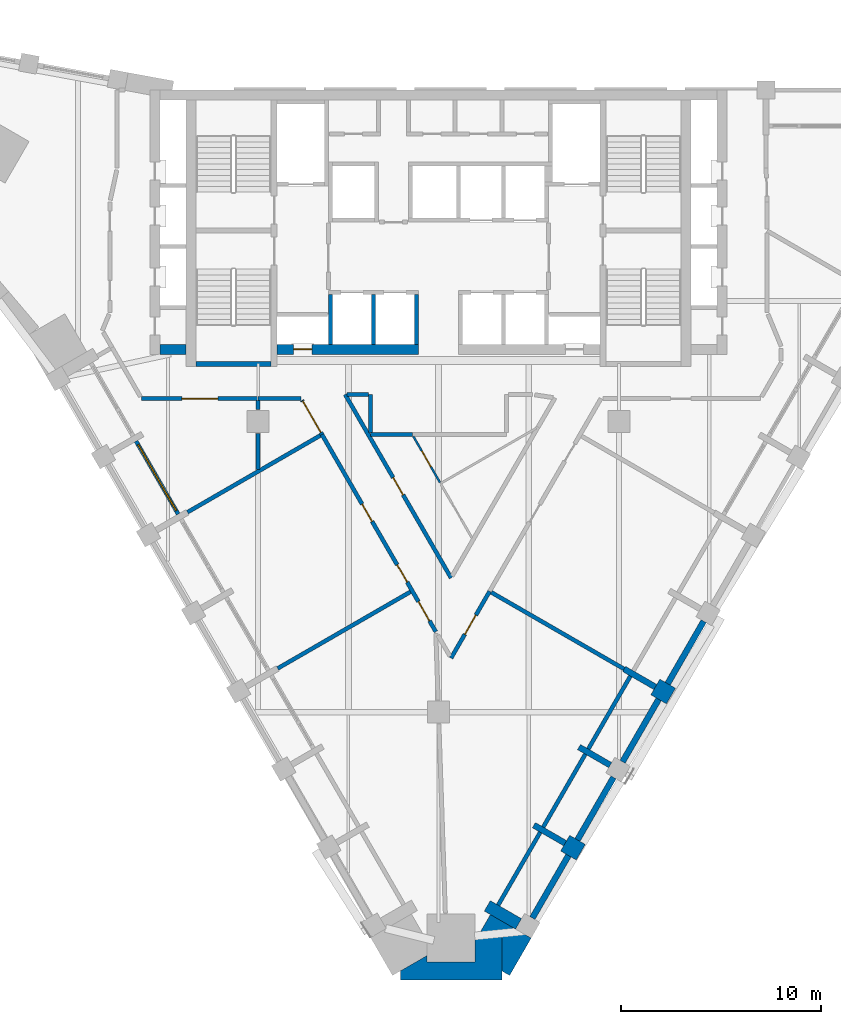
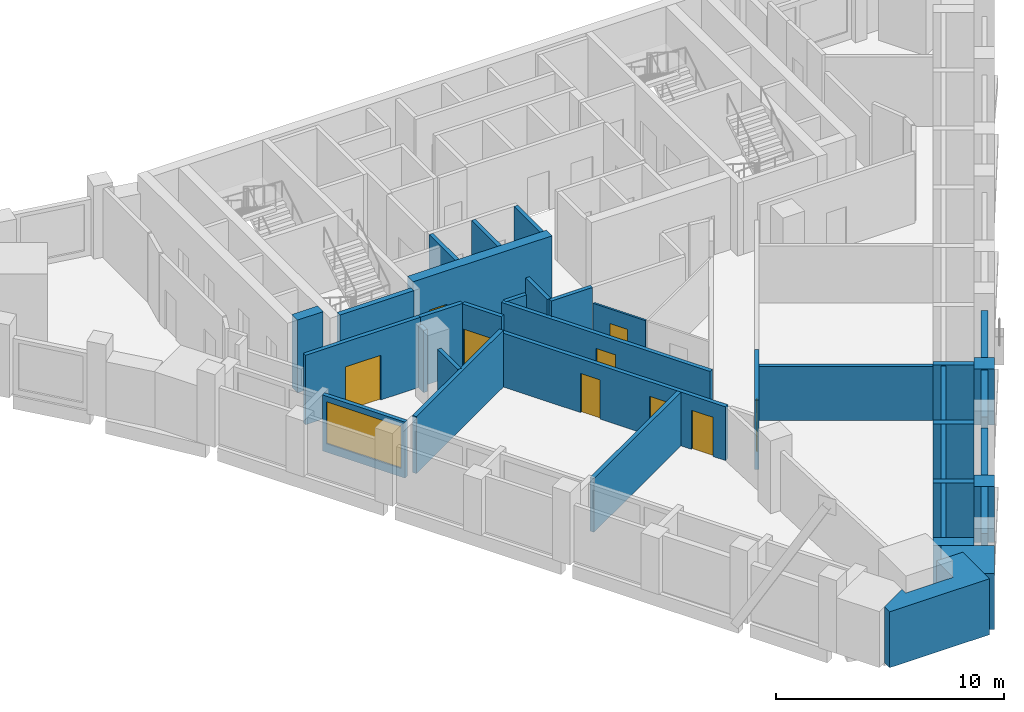
# One storey, part 3 of 9: 37 walls, 9 doors, 1 window, 10 openings.
"""IFC4 building model written with IfcOpenShell, lengths in metres."""

from ifc_helpers import new_model, si_unit, direction, frame, frame_2d, origin, place, context, subcontext, project, spatial, polyline, rectangle, outline, extrude, material, layer, layer_set, type_object, element, fill, save


model = new_model("IFC4")

# Units and contexts
model_context = context("Model", 3, precision=1e-05, world=origin(), true_north=direction((0.0, 1.0)))
body_context = subcontext(model_context, "Body", "Model", "MODEL_VIEW")
ifc_project = project(units=[si_unit("LENGTHUNIT", "METRE"), si_unit("AREAUNIT", "SQUARE_METRE"), si_unit("VOLUMEUNIT", "CUBIC_METRE"), si_unit("PLANEANGLEUNIT", "RADIAN"), si_unit("MASSUNIT", "GRAM", prefix="KILO")], contexts=[model_context])

# Site, building, storey
site_placement = place(None, origin())
site = spatial("IfcSite", under=ifc_project, at=site_placement, CompositionType="ELEMENT")
building_placement = place(site_placement, origin())
building = spatial("IfcBuilding", under=site, at=building_placement, Name="Calabash Gate Tower", CompositionType="ELEMENT")
storey_placement = place(building_placement, frame((0.0, 0.0, 219.800048828125)))
storey = spatial("IfcBuildingStorey", under=building, at=storey_placement, Name="L52", CompositionType="ELEMENT", Elevation=219.800048828125)

# Walls
ifc_material_1 = material(Name="Terracotta brick masonry, exposed face", Category="masonry")
ifc_layer_1 = layer(ifc_material_1, 2.35009765625)
ifc_layer_set_1 = layer_set([ifc_layer_1], Name="Brick corner mass wall 2350")
wall_type_1 = type_object("IfcWallType", Name="Brick corner mass wall 2350", PredefinedType="SOLIDWALL", material=ifc_layer_set_1)
wall_1_placement = place(storey_placement, origin())
element("IfcWall", 1, at=wall_1_placement, inside=storey, type_object=wall_type_1, Name="Brick corner pier S15 2b", PredefinedType="SOLIDWALL", context=body_context, shape_type="SweptSolid", body=[
    extrude(outline(polyline([(1.825927734375, -24.471923828125), (-0.573974609375, -24.471923828125), (-0.573974609375, -24.146240234375), (-1.906005859375, -24.915283203125), (-1.906005859375, -25.365234375), (3.157958984375, -25.365234375), (3.157958984375, -23.01513671875), (1.825927734375, -23.01513671875), (1.825927734375, -24.471923828125)])), origin(), (0.0, 0.0, 1.0), 3.0),
])
wall_2_placement = place(storey_placement, origin())
element("IfcWall", 2, at=wall_2_placement, inside=storey, type_object=wall_type_1, Name="Brick corner pier S15 2c", PredefinedType="SOLIDWALL", context=body_context, shape_type="SweptSolid", body=[
    extrude(outline(polyline([(4.623779296875, -23.275634765625), (2.5888671875, -22.100830078125), (2.06103515625, -23.01513671875), (3.157958984375, -23.01513671875), (3.157958984375, -24.915283203125), (3.547607421875, -25.14013671875), (4.623779296875, -23.275634765625)])), origin(), (0.0, 0.0, 1.0), 3.0),
])
ifc_material_2 = material(Name="Terracotta brick masonry, exposed face", Category="masonry")
ifc_layer_2 = layer(ifc_material_2, 0.89990234375)
ifc_layer_set_2 = layer_set([ifc_layer_2], Name="Brick end wall 900")
wall_type_2 = type_object("IfcWallType", Name="Brick end wall 900", PredefinedType="SOLIDWALL", material=ifc_layer_set_2)
for number, where, z_axis, x_axis, name in (
    (3, (6.484375, -19.15380859375, 0.0), (0.0, 0.0, 1.0), (0.499902469156, 0.866081705922, 0.0), "Brick pier S15 SE2.1"),
    (4, (11.434326171875, -10.580078125, 0.0), (0.0, 0.0, 1.0), (-0.499902469156, -0.866081705922, 0.0), "Brick pier S15 SE2.3"),
):
    element("IfcWall", number, at=place(storey_placement, frame(where, z_axis=z_axis, x_axis=x_axis)), inside=storey, type_object=wall_type_2, Name=name, PredefinedType="SOLIDWALL", context=body_context, shape_type="SweptSolid", body=[
        extrude(rectangle(XDim=0.900146484375, YDim=0.89990234375, at=frame_2d((0.4501953125, 0.0))), origin(), (0.0, 0.0, 1.0), 3.0),
    ])
ifc_material_3 = material(Name="Terracotta brick masonry, exposed face", Category="masonry")
ifc_layer_3 = layer(ifc_material_3, 0.300048828125)
ifc_layer_set_3 = layer_set([ifc_layer_3], Name="Brick infill panel wall 300")
wall_type_3 = type_object("IfcWallType", Name="Brick infill panel wall 300", PredefinedType="SOLIDWALL", material=ifc_layer_set_3)
for number, where, z_axis, x_axis, name in (
    (5, (4.684326171875, -22.271484375, 0.0), (0.0, 0.0, 1.0), (0.500012057535, 0.866018442252, 0.0), "Brick panel S15 SE2.1"),
    (6, (6.934326171875, -18.374267578125, 0.0), (0.0, 0.0, 1.0), (0.500012057535, 0.866018442252, 0.0), "Brick panel S15 SE2.2"),
):
    element("IfcWall", number, at=place(storey_placement, frame(where, z_axis=z_axis, x_axis=x_axis)), inside=storey, type_object=wall_type_3, Name=name, PredefinedType="SOLIDWALL", context=body_context, shape_type="SweptSolid", body=[
        extrude(rectangle(XDim=3.60009765625, YDim=0.300048828125, at=frame_2d((1.800048828125, 0.0))), origin(), (0.0, 0.0, 1.0), 3.0),
    ])
wall_3_placement = place(storey_placement, frame((9.184326171875, -14.477294921875, 0.0), z_axis=(0.0, 0.0, 1.0), x_axis=(0.500012057535, 0.866018442252, 0.0)))
element("IfcWall", 7, at=wall_3_placement, inside=storey, type_object=wall_type_3, Name="Brick panel S15 SE2.3", PredefinedType="SOLIDWALL", context=body_context, shape_type="SweptSolid", body=[
    extrude(rectangle(XDim=3.60009765625, YDim=0.300048828125, at=frame_2d((1.800048828125, 0.0))), origin(), (0.0, 0.0, 1.0), 2.949951171875),
])
wall_4_placement = place(storey_placement, frame((11.434326171875, -10.580078125, 0.0), z_axis=(0.0, 0.0, 1.0), x_axis=(0.499990559667, 0.866030854095, 0.0)))
element("IfcWall", 8, at=wall_4_placement, inside=storey, type_object=wall_type_3, Name="Brick panel S15 SE2.4", PredefinedType="SOLIDWALL", context=body_context, shape_type="SweptSolid", body=[
    extrude(rectangle(XDim=3.599609375, YDim=0.300048828125, at=frame_2d((1.7998046875, 0.0))), origin(), (0.0, 0.0, 1.0), 3.0),
])
ifc_material_4 = material(Name="Terracotta brick masonry, exposed face", Category="masonry")
ifc_layer_4 = layer(ifc_material_4, 0.300048828125)
ifc_layer_set_4 = layer_set([ifc_layer_4], Name="Brick loggia cheek wall 300")
wall_type_4 = type_object("IfcWallType", Name="Brick loggia cheek wall 300", PredefinedType="SOLIDWALL", material=ifc_layer_set_4)
wall_5_placement = place(storey_placement, frame((2.435791015625, -21.666015625, 0.0), z_axis=(0.0, 0.0, 1.0), x_axis=(0.866013897511, -0.50001992892, 0.0)))
element("IfcWall", 9, at=wall_5_placement, inside=storey, type_object=wall_type_4, Name="Loggia cheek S15 SE2.0", PredefinedType="SOLIDWALL", context=body_context, shape_type="SweptSolid", body=[
    extrude(rectangle(XDim=1.7998046875, YDim=0.60009765625, at=frame_2d((0.89990234375, 0.0))), origin(), (0.0, 0.0, 1.0), 3.0),
])
wall_6_placement = place(storey_placement, frame((6.319580078125, -18.5390625, 0.0), z_axis=(0.0, 0.0, 1.0), x_axis=(-0.865989075817, 0.500062916607, 0.0)))
element("IfcWall", 10, at=wall_6_placement, inside=storey, type_object=wall_type_4, Name="Loggia cheek S15 SE2.1", PredefinedType="SOLIDWALL", context=body_context, shape_type="SweptSolid", body=[
    extrude(rectangle(XDim=1.800048828125, YDim=0.300048828125, at=frame_2d((0.89990234375, 0.0))), origin(), (0.0, 0.0, 1.0), 3.0),
])
wall_7_placement = place(storey_placement, frame((8.5693359375, -14.641845703125, 0.0), z_axis=(0.0, 0.0, 1.0), x_axis=(-0.866013897511, 0.50001992892, 0.0)))
element("IfcWall", 11, at=wall_7_placement, inside=storey, type_object=wall_type_4, Name="Loggia cheek S15 SE2.2", PredefinedType="SOLIDWALL", context=body_context, shape_type="SweptSolid", body=[
    extrude(rectangle(XDim=1.7998046875, YDim=0.300048828125, at=frame_2d((0.89990234375, 0.0))), origin(), (0.0, 0.0, 1.0), 3.0),
])
wall_8_placement = place(storey_placement, frame((10.819580078125, -10.744873046875, 0.0), z_axis=(0.0, 0.0, 1.0), x_axis=(-0.865989075817, 0.500062916607, 0.0)))
element("IfcWall", 12, at=wall_8_placement, inside=storey, type_object=wall_type_4, Name="Loggia cheek S15 SE2.3", PredefinedType="SOLIDWALL", context=body_context, shape_type="SweptSolid", body=[
    extrude(rectangle(XDim=1.800048828125, YDim=0.300048828125, at=frame_2d((0.89990234375, 0.0))), origin(), (0.0, 0.0, 1.0), 3.0),
])
ifc_material_5 = material(Name="Concrete C70/85", Category="concrete")
ifc_layer_5 = layer(ifc_material_5, 0.25)
ifc_layer_set_5 = layer_set([ifc_layer_5], Name="Core wall 250 Concrete C70/85")
wall_type_5 = type_object("IfcWallType", Name="Core wall 250 Concrete C70/85", PredefinedType="SHEAR", material=ifc_layer_set_5)
wall_9_placement = place(storey_placement, frame((-12.10009765625, 5.377685546875, 0.0), z_axis=(0.0, 0.0, 1.0), x_axis=(1.0, 0.0, 0.0)))
element("IfcWall", 13, at=wall_9_placement, inside=storey, type_object=wall_type_5, Name="Core wall Z4-SSW L52", PredefinedType="SHEAR", context=body_context, shape_type="SweptSolid", body=[
    extrude(rectangle(XDim=3.75, YDim=0.25, at=frame_2d((1.875, 0.0))), origin(), (0.0, 0.0, 1.0), 3.89990234375),
])

# Wall, opening, door
ifc_material_6 = material(Name="Concrete C70/85", Category="concrete")
ifc_layer_6 = layer(ifc_material_6, 0.5)
ifc_layer_set_6 = layer_set([ifc_layer_6], Name="Core wall 500 Concrete C70/85")
wall_type_6 = type_object("IfcWallType", Name="Core wall 500 Concrete C70/85", PredefinedType="SHEAR", material=ifc_layer_set_6)
wall_10_placement = place(storey_placement, frame((-8.050048828125, 6.1025390625, 0.0), z_axis=(0.0, 0.0, 1.0), x_axis=(1.0, 0.0, 0.0)))
wall_10 = element("IfcWall", 14, at=wall_10_placement, inside=storey, type_object=wall_type_6, Name="Core wall Z4-SA L52", PredefinedType="SHEAR", context=body_context, shape_type="SweptSolid", body=[
    extrude(rectangle(XDim=7.050048828125, YDim=0.5, at=frame_2d((3.52490234375, 0.0))), origin(), (0.0, 0.0, 1.0), 3.89990234375),
])
opening_1_placement = place(wall_10_placement, frame((0.824951171875, 0.0, 0.0)))
opening_1 = element("IfcOpeningElement", 15, at=opening_1_placement, cuts=wall_10, Name="Opening O7-017", PredefinedType="OPENING", context=body_context, shape_type="SweptSolid", body=[
    extrude(rectangle(XDim=0.89990234375, YDim=2.10009765625, at=frame_2d((0.449951171875, 1.050048828125))), frame((0.0, 0.260009765625, 0.0), z_axis=(0.0, -1.0, 0.0), x_axis=(1.0, 0.0, 0.0)), (0.0, 0.0, 1.0), 0.52001953125),
])
ifc_material_7 = material(Name="Steel fire door set with fire-resisting glazing", Category="steel")
door_type_1 = type_object("IfcDoorType", Name="Fire door D07 900x2100 FD90", OperationType="NOTDEFINED", PredefinedType="DOOR", material=ifc_material_7)
door_1_placement = place(opening_1_placement, origin())
door_1 = element("IfcDoor", 16, at=door_1_placement, inside=storey, type_object=door_type_1, Name="Electrical Riser W door", OperationType="SINGLE_SWING_LEFT", OverallHeight=2.10009765625, OverallWidth=0.89990234375, PredefinedType="DOOR", context=body_context, shape_type="SweptSolid", body=[
    extrude(rectangle(XDim=0.89990234375, YDim=2.10009765625, at=frame_2d((0.449951171875, 1.050048828125))), frame((0.0, 0.02490234375, 0.0), z_axis=(0.0, -1.0, 0.0), x_axis=(1.0, 0.0, 0.0)), (0.0, 0.0, 1.0), 0.050048828125),
])
fill(opening_1, door_1)

# Wall
wall_11_placement = place(storey_placement, frame((-12.60009765625, 6.1025390625, 0.0), z_axis=(0.0, 0.0, 1.0), x_axis=(-1.0, 0.0, 0.0)))
element("IfcWall", 17, at=wall_11_placement, inside=storey, type_object=wall_type_6, Name="Core wall Z4-SW L52", PredefinedType="SHEAR", context=body_context, shape_type="SweptSolid", body=[
    extrude(rectangle(XDim=1.2998046875, YDim=0.5, at=frame_2d((0.64990234375, 0.0))), origin(), (0.0, 0.0, 1.0), 3.89990234375),
])

# Wall, opening, door
ifc_material_8 = material(Name="Gypsum board on steel studs, mineral wool", Category="steel")
ifc_layer_7 = layer(ifc_material_8, 0.10009765625)
ifc_layer_set_7 = layer_set([ifc_layer_7], Name="Partition 100 gypsum board")
wall_type_7 = type_object("IfcWallType", Name="Partition 100 gypsum board", PredefinedType="PARTITIONING", material=ifc_layer_set_7)
wall_12_placement = place(storey_placement, frame((-1.2578125, 1.765869140625, 0.0), z_axis=(0.0, 0.0, 1.0), x_axis=(0.50002892151, -0.866008705299, 0.0)))
wall_12 = element("IfcWall", 18, at=wall_12_placement, inside=storey, type_object=wall_type_7, Name="Partition", PredefinedType="PARTITIONING", context=body_context, shape_type="SweptSolid", body=[
    extrude(rectangle(XDim=2.666259765625, YDim=0.10009765625, at=frame_2d((1.3330078125, 0.0))), origin(), (0.0, 0.0, 1.0), 2.884033203125),
])
opening_2_placement = place(wall_12_placement, frame((0.857666015625, 0.0, 0.0)))
opening_2 = element("IfcOpeningElement", 19, at=opening_2_placement, cuts=wall_12, Name="Opening 52-54-014", PredefinedType="OPENING", context=body_context, shape_type="SweptSolid", body=[
    extrude(rectangle(XDim=0.89990234375, YDim=2.10009765625, at=frame_2d((0.449951171875, 1.050048828125))), frame((0.0, 0.06005859375, 0.0), z_axis=(0.0, -1.0, 0.0), x_axis=(1.0, 0.0, 0.0)), (0.0, 0.0, 1.0), 0.1201171875),
])
ifc_material_9 = material(Name="Painted timber door", Category="wood")
door_type_2 = type_object("IfcDoorType", Name="WD1 WC door 900x2100", OperationType="NOTDEFINED", PredefinedType="DOOR", material=ifc_material_9)
door_2_placement = place(opening_2_placement, origin())
door_2 = element("IfcDoor", 20, at=door_2_placement, inside=storey, type_object=door_type_2, Name="WC door", OperationType="SINGLE_SWING_LEFT", OverallHeight=2.10009765625, OverallWidth=0.89990234375, PredefinedType="DOOR", context=body_context, shape_type="SweptSolid", body=[
    extrude(rectangle(XDim=0.89990234375, YDim=2.10009765625, at=frame_2d((0.449951171875, 1.050048828125))), frame((0.0, 0.02490234375, 0.0), z_axis=(0.0, -1.0, 0.0), x_axis=(1.0, 0.0, 0.0)), (0.0, 0.0, 1.0), 0.050048828125),
])
fill(opening_2, door_2)

# Wall
ifc_material_10 = material(Name="Gypsum board on steel studs, mineral wool", Category="steel")
ifc_layer_8 = layer(ifc_material_10, 0.199951171875)
ifc_layer_set_8 = layer_set([ifc_layer_8], Name="Partition 200 gypsum board EI 60")
wall_type_8 = type_object("IfcWallType", Name="Partition 200 gypsum board EI 60", PredefinedType="PARTITIONING", material=ifc_layer_set_8)
wall_13_placement = place(storey_placement, frame((2.635009765625, -6.021728515625, 0.0), z_axis=(0.0, 0.0, 1.0), x_axis=(0.866123944565, -0.499829283508, 0.0)))
element("IfcWall", 21, at=wall_13_placement, inside=storey, type_object=wall_type_8, Name="Partition", PredefinedType="PARTITIONING", context=body_context, shape_type="SweptSolid", body=[
    extrude(rectangle(XDim=7.649658203125, YDim=0.199951171875, at=frame_2d((3.82470703125, 0.0))), origin(), (0.0, 0.0, 1.0), 2.884033203125),
])

# Wall, openings, doors
wall_14_placement = place(storey_placement, frame((-5.81494140625, 1.85107421875, 0.0), z_axis=(0.0, 0.0, 1.0), x_axis=(0.499991042018, -0.866030575616, 0.0)))
wall_14 = element("IfcWall", 22, at=wall_14_placement, inside=storey, type_object=wall_type_8, Name="Partition", PredefinedType="PARTITIONING", context=body_context, shape_type="SweptSolid", body=[
    extrude(rectangle(XDim=11.356689453125, YDim=0.199951171875, at=frame_2d((5.67822265625, 0.0))), origin(), (0.0, 0.0, 1.0), 2.884033203125),
])
opening_3_placement = place(wall_14_placement, frame((4.0, 0.0, 0.0)))
opening_3 = element("IfcOpeningElement", 23, at=opening_3_placement, cuts=wall_14, Name="Opening 52-54-001", PredefinedType="OPENING", context=body_context, shape_type="SweptSolid", body=[
    extrude(rectangle(XDim=1.0, YDim=2.10009765625, at=frame_2d((0.5, 1.050048828125))), frame((0.0, 0.10986328125, 0.0), z_axis=(0.0, -1.0, 0.0), x_axis=(1.0, 0.0, 0.0)), (0.0, 0.0, 1.0), 0.219970703125),
])
opening_4_placement = place(wall_14_placement, frame((7.50146484375, 0.0, 0.0)))
opening_4 = element("IfcOpeningElement", 24, at=opening_4_placement, cuts=wall_14, Name="Opening 52-54-002", PredefinedType="OPENING", context=body_context, shape_type="SweptSolid", body=[
    extrude(rectangle(XDim=1.0, YDim=2.10009765625, at=frame_2d((0.5, 1.050048828125))), frame((0.0, 0.10986328125, 0.0), z_axis=(0.0, -1.0, 0.0), x_axis=(1.0, 0.0, 0.0)), (0.0, 0.0, 1.0), 0.219970703125),
])
opening_5_placement = place(wall_14_placement, frame((9.627197265625, 0.0, 0.0)))
opening_5 = element("IfcOpeningElement", 25, at=opening_5_placement, cuts=wall_14, Name="Opening 52-54-012", PredefinedType="OPENING", context=body_context, shape_type="SweptSolid", body=[
    extrude(rectangle(XDim=1.10009765625, YDim=2.10009765625, at=frame_2d((0.550048828125, 1.050048828125))), frame((0.0, 0.10986328125, 0.0), z_axis=(0.0, -1.0, 0.0), x_axis=(1.0, 0.0, 0.0)), (0.0, 0.0, 1.0), 0.219970703125),
])
ifc_material_11 = material(Name="Steel fire door set with fire-resisting glazing", Category="steel")
door_type_3 = type_object("IfcDoorType", Name="GD3 Suite entrance door 1100x2100", OperationType="NOTDEFINED", PredefinedType="DOOR", material=ifc_material_11)
door_3_placement = place(opening_5_placement, origin())
door_3 = element("IfcDoor", 26, at=door_3_placement, inside=storey, type_object=door_type_3, Name="Suite entrance door", OperationType="SINGLE_SWING_LEFT", OverallHeight=2.10009765625, OverallWidth=1.10009765625, PredefinedType="DOOR", context=body_context, shape_type="SweptSolid", body=[
    extrude(rectangle(XDim=1.10009765625, YDim=2.10009765625, at=frame_2d((0.550048828125, 1.050048828125))), frame((0.0, 0.02490234375, 0.0), z_axis=(0.0, -1.0, 0.0), x_axis=(1.0, 0.0, 0.0)), (0.0, 0.0, 1.0), 0.050048828125),
])
fill(opening_5, door_3)
ifc_material_12 = material(Name="Steel fire door set with fire-resisting glazing", Category="steel")
door_type_4 = type_object("IfcDoorType", Name="LD2 Meeting room door 1000x2100", OperationType="NOTDEFINED", PredefinedType="DOOR", material=ifc_material_12)
door_4_placement = place(opening_3_placement, origin())
door_4 = element("IfcDoor", 27, at=door_4_placement, inside=storey, type_object=door_type_4, Name="Meeting room door", OperationType="SINGLE_SWING_LEFT", OverallHeight=2.10009765625, OverallWidth=1.0, PredefinedType="DOOR", context=body_context, shape_type="SweptSolid", body=[
    extrude(rectangle(XDim=1.0, YDim=2.10009765625, at=frame_2d((0.5, 1.050048828125))), frame((0.0, 0.02490234375, 0.0), z_axis=(0.0, -1.0, 0.0), x_axis=(1.0, 0.0, 0.0)), (0.0, 0.0, 1.0), 0.050048828125),
])
fill(opening_3, door_4)
door_5_placement = place(opening_4_placement, origin())
door_5 = element("IfcDoor", 28, at=door_5_placement, inside=storey, type_object=door_type_4, Name="Meeting room door", OperationType="SINGLE_SWING_RIGHT", OverallHeight=2.10009765625, OverallWidth=1.0, PredefinedType="DOOR", context=body_context, shape_type="SweptSolid", body=[
    extrude(rectangle(XDim=1.0, YDim=2.10009765625, at=frame_2d((0.5, 1.050048828125))), frame((0.0, 0.02490234375, 0.0), z_axis=(0.0, -1.0, 0.0), x_axis=(1.0, 0.0, 0.0)), (0.0, 0.0, 1.0), 0.050048828125),
])
fill(opening_4, door_5)

# Wall
wall_15_placement = place(storey_placement, frame((-8.024658203125, -9.8173828125, 0.0), z_axis=(0.0, 0.0, 1.0), x_axis=(0.866115970796, 0.499843100514, 0.0)))
element("IfcWall", 29, at=wall_15_placement, inside=storey, type_object=wall_type_8, Name="Partition", PredefinedType="PARTITIONING", context=body_context, shape_type="SweptSolid", body=[
    extrude(rectangle(XDim=7.6494140625, YDim=0.199951171875, at=frame_2d((3.82470703125, 0.0))), origin(), (0.0, 0.0, 1.0), 2.884033203125),
])

# Wall, opening, door
wall_16_placement = place(storey_placement, frame((0.626220703125, -9.30126953125, 0.0), z_axis=(0.0, 0.0, 1.0), x_axis=(0.500330475361, 0.865834519655, 0.0)))
wall_16 = element("IfcWall", 30, at=wall_16_placement, inside=storey, type_object=wall_type_8, Name="Partition", PredefinedType="PARTITIONING", context=body_context, shape_type="SweptSolid", body=[
    extrude(rectangle(XDim=3.84619140625, YDim=0.199951171875, at=frame_2d((1.923095703125, 0.0))), origin(), (0.0, 0.0, 1.0), 3.72998046875),
])
opening_6_placement = place(wall_16_placement, frame((1.373046875, 0.0, 0.0)))
opening_6 = element("IfcOpeningElement", 31, at=opening_6_placement, cuts=wall_16, Name="Opening 52-54-011", PredefinedType="OPENING", context=body_context, shape_type="SweptSolid", body=[
    extrude(rectangle(XDim=1.10009765625, YDim=2.10009765625, at=frame_2d((0.550048828125, 1.050048828125))), frame((0.0, 0.10986328125, 0.0), z_axis=(0.0, -1.0, 0.0), x_axis=(1.0, 0.0, 0.0)), (0.0, 0.0, 1.0), 0.219970703125),
])
door_6_placement = place(opening_6_placement, origin())
door_6 = element("IfcDoor", 32, at=door_6_placement, inside=storey, type_object=door_type_3, Name="Suite entrance door", OperationType="SINGLE_SWING_LEFT", OverallHeight=2.10009765625, OverallWidth=1.10009765625, PredefinedType="DOOR", context=body_context, shape_type="SweptSolid", body=[
    extrude(rectangle(XDim=1.10009765625, YDim=2.10009765625, at=frame_2d((0.550048828125, 1.050048828125))), frame((0.0, 0.02490234375, 0.0), z_axis=(0.0, -1.0, 0.0), x_axis=(1.0, 0.0, 0.0)), (0.0, 0.0, 1.0), 0.050048828125),
])
fill(opening_6, door_6)

# Wall
wall_17_placement = place(storey_placement, frame((-12.525146484375, -2.0224609375, 0.0), z_axis=(0.0, 0.0, 1.0), x_axis=(0.865836806481, 0.500326517929, 0.0)))
element("IfcWall", 33, at=wall_17_placement, inside=storey, type_object=wall_type_8, Name="Partition", PredefinedType="PARTITIONING", context=body_context, shape_type="SweptSolid", body=[
    extrude(rectangle(XDim=7.6494140625, YDim=0.199951171875, at=frame_2d((3.82470703125, 0.0))), origin(), (0.0, 0.0, 1.0), 3.0517578125),
])

# Wall, opening, door
wall_18_placement = place(storey_placement, frame((-6.802978515625, 3.5654296875, 0.0), z_axis=(0.0, 0.0, 1.0), x_axis=(0.49997529981, -0.866039663976, 0.0)))
wall_18 = element("IfcWall", 34, at=wall_18_placement, inside=storey, type_object=wall_type_8, Name="Partition", PredefinedType="PARTITIONING", context=body_context, shape_type="SweptSolid", body=[
    extrude(rectangle(XDim=1.97802734375, YDim=0.199951171875, at=frame_2d((0.989013671875, 0.0))), origin(), (0.0, 0.0, 1.0), 3.72998046875),
])
opening_7_placement = place(wall_18_placement, frame((0.05810546875, 0.0, 0.0)))
opening_7 = element("IfcOpeningElement", 35, at=opening_7_placement, cuts=wall_18, Name="Opening 52-54-008", PredefinedType="OPENING", context=body_context, shape_type="SweptSolid", body=[
    extrude(rectangle(XDim=1.800048828125, YDim=2.39990234375, at=frame_2d((0.89990234375, 1.199951171875))), frame((0.0, 0.10986328125, 0.0), z_axis=(0.0, -1.0, 0.0), x_axis=(1.0, 0.0, 0.0)), (0.0, 0.0, 1.0), 0.219970703125),
])
ifc_material_13 = material(Name="Steel fire door set with fire-resisting glazing", Category="steel")
door_type_5 = type_object("IfcDoorType", Name="TD1 Tenancy entrance double door 1800x2400", OperationType="NOTDEFINED", PredefinedType="DOOR", material=ifc_material_13)
door_7_placement = place(opening_7_placement, origin())
door_7 = element("IfcDoor", 36, at=door_7_placement, inside=storey, type_object=door_type_5, Name="Tenancy entrance double door", OperationType="DOUBLE_DOOR_SINGLE_SWING", OverallHeight=2.39990234375, OverallWidth=1.800048828125, PredefinedType="DOOR", context=body_context, shape_type="SweptSolid", body=[
    extrude(rectangle(XDim=1.800048828125, YDim=2.39990234375, at=frame_2d((0.89990234375, 1.199951171875))), frame((0.0, 0.02490234375, 0.0), z_axis=(0.0, -1.0, 0.0), x_axis=(1.0, 0.0, 0.0)), (0.0, 0.0, 1.0), 0.050048828125),
])
fill(opening_7, door_7)

# Walls
wall_19_placement = place(storey_placement, frame((-3.400146484375, 1.852294921875, 0.0), z_axis=(0.0, 0.0, 1.0), x_axis=(0.999999666027, -0.000817279353, 0.0)))
element("IfcWall", 37, at=wall_19_placement, inside=storey, type_object=wall_type_8, Name="Partition", PredefinedType="PARTITIONING", context=body_context, shape_type="SweptSolid", body=[
    extrude(rectangle(XDim=2.091064453125, YDim=0.199951171875, at=frame_2d((1.04541015625, 0.0))), origin(), (0.0, 0.0, 1.0), 3.72998046875),
])
wall_20_placement = place(storey_placement, frame((-8.999755859375, 1.89990234375, 0.0), z_axis=(0.0, 0.0, 1.0), x_axis=(0.000957853967, -0.999999541258, 0.0)))
element("IfcWall", 38, at=wall_20_placement, inside=storey, type_object=wall_type_8, Name="Partition", PredefinedType="PARTITIONING", context=body_context, shape_type="SweptSolid", body=[
    extrude(rectangle(XDim=1.7841796875, YDim=0.199951171875, at=frame_2d((0.89208984375, 0.0))), origin(), (0.0, 0.0, 1.0), 3.0517578125),
])
wall_21_placement = place(storey_placement, frame((-3.400146484375, 3.852294921875, 0.0), z_axis=(0.0, 0.0, 1.0), x_axis=(0.0, -1.0, 0.0)))
element("IfcWall", 39, at=wall_21_placement, inside=storey, type_object=wall_type_8, Name="Partition", PredefinedType="PARTITIONING", context=body_context, shape_type="SweptSolid", body=[
    extrude(rectangle(XDim=1.89990234375, YDim=0.199951171875, at=frame_2d((0.949951171875, 0.0))), origin(), (0.0, 0.0, 1.0), 3.72998046875),
])
wall_22_placement = place(storey_placement, frame((-8.999755859375, 3.10009765625, 0.0), z_axis=(0.0, 0.0, 1.0), x_axis=(0.003241474056, 0.999994746409, 0.0)))
element("IfcWall", 40, at=wall_22_placement, inside=storey, type_object=wall_type_8, Name="Partition", PredefinedType="PARTITIONING", context=body_context, shape_type="SweptSolid", body=[
    extrude(rectangle(XDim=0.451904296875, YDim=0.199951171875, at=frame_2d((0.22607421875, 0.0))), origin(), (0.0, 0.0, 1.0), 3.33154296875),
])

# Wall, opening, door
wall_23_placement = place(storey_placement, frame((-14.820556640625, 3.65234375, 0.0), z_axis=(0.0, 0.0, 1.0), x_axis=(0.999999956896, -0.000293611832, 0.0)))
wall_23 = element("IfcWall", 41, at=wall_23_placement, inside=storey, type_object=wall_type_8, Name="Partition", PredefinedType="PARTITIONING", context=body_context, shape_type="SweptSolid", body=[
    extrude(rectangle(XDim=5.820556640625, YDim=0.199951171875, at=frame_2d((2.91015625, 0.0))), origin(), (0.0, 0.0, 1.0), 3.72998046875),
])
opening_8_placement = place(wall_23_placement, frame((2.010498046875, 0.0, 0.0)))
opening_8 = element("IfcOpeningElement", 42, at=opening_8_placement, cuts=wall_23, Name="Opening 52-54-007", PredefinedType="OPENING", context=body_context, shape_type="SweptSolid", body=[
    extrude(rectangle(XDim=1.800048828125, YDim=2.39990234375, at=frame_2d((0.89990234375, 1.199951171875))), frame((0.0, 0.10986328125, 0.0), z_axis=(0.0, -1.0, 0.0), x_axis=(1.0, 0.0, 0.0)), (0.0, 0.0, 1.0), 0.219970703125),
])
door_8_placement = place(opening_8_placement, origin())
door_8 = element("IfcDoor", 43, at=door_8_placement, inside=storey, type_object=door_type_5, Name="Tenancy entrance double door", OperationType="DOUBLE_DOOR_SINGLE_SWING", OverallHeight=2.39990234375, OverallWidth=1.800048828125, PredefinedType="DOOR", context=body_context, shape_type="SweptSolid", body=[
    extrude(rectangle(XDim=1.800048828125, YDim=2.39990234375, at=frame_2d((0.89990234375, 1.199951171875))), frame((0.0, 0.02490234375, 0.0), z_axis=(0.0, -1.0, 0.0), x_axis=(1.0, 0.0, 0.0)), (0.0, 0.0, 1.0), 0.050048828125),
])
fill(opening_8, door_8)

# Wall
wall_24_placement = place(storey_placement, frame((-8.999755859375, 3.650634765625, 0.0), z_axis=(0.0, 0.0, 1.0), x_axis=(0.999999767192, 0.00068236081, 0.0)))
element("IfcWall", 44, at=wall_24_placement, inside=storey, type_object=wall_type_8, Name="Partition", PredefinedType="PARTITIONING", context=body_context, shape_type="SweptSolid", body=[
    extrude(rectangle(XDim=2.146728515625, YDim=0.199951171875, at=frame_2d((1.0732421875, 0.0))), origin(), (0.0, 0.0, 1.0), 3.72998046875),
])

# Wall, opening, door
wall_25_placement = place(storey_placement, frame((-4.658447265625, 3.852294921875, 0.0), z_axis=(0.0, 0.0, 1.0), x_axis=(0.500012400782, -0.866018244071, 0.0)))
wall_25 = element("IfcWall", 45, at=wall_25_placement, inside=storey, type_object=wall_type_8, Name="Partition", PredefinedType="PARTITIONING", context=body_context, shape_type="SweptSolid", body=[
    extrude(rectangle(XDim=10.568603515625, YDim=0.199951171875, at=frame_2d((5.2841796875, 0.0))), origin(), (0.0, 0.0, 1.0), 2.884033203125),
])
opening_9_placement = place(wall_25_placement, frame((4.7841796875, 0.0, 0.0)))
opening_9 = element("IfcOpeningElement", 46, at=opening_9_placement, cuts=wall_25, Name="Opening 52-54-013", PredefinedType="OPENING", context=body_context, shape_type="SweptSolid", body=[
    extrude(rectangle(XDim=1.0, YDim=2.10009765625, at=frame_2d((0.5, 1.050048828125))), frame((0.0, 0.10986328125, 0.0), z_axis=(0.0, -1.0, 0.0), x_axis=(1.0, 0.0, 0.0)), (0.0, 0.0, 1.0), 0.219970703125),
])
ifc_material_14 = material(Name="Steel fire door set with fire-resisting glazing", Category="steel")
door_type_6 = type_object("IfcDoorType", Name="WD3 WC lobby door 1000x2100", OperationType="NOTDEFINED", PredefinedType="DOOR", material=ifc_material_14)
door_9_placement = place(opening_9_placement, origin())
door_9 = element("IfcDoor", 47, at=door_9_placement, inside=storey, type_object=door_type_6, Name="WC lobby door", OperationType="SINGLE_SWING_LEFT", OverallHeight=2.10009765625, OverallWidth=1.0, PredefinedType="DOOR", context=body_context, shape_type="SweptSolid", body=[
    extrude(rectangle(XDim=1.0, YDim=2.10009765625, at=frame_2d((0.5, 1.050048828125))), frame((0.0, 0.02490234375, 0.0), z_axis=(0.0, -1.0, 0.0), x_axis=(1.0, 0.0, 0.0)), (0.0, 0.0, 1.0), 0.050048828125),
])
fill(opening_9, door_9)

# Walls
wall_26_placement = place(storey_placement, frame((-4.558349609375, 3.852294921875, 0.0), z_axis=(0.0, 0.0, 1.0), x_axis=(1.0, 0.0, 0.0)))
element("IfcWall", 48, at=wall_26_placement, inside=storey, type_object=wall_type_8, Name="Partition", PredefinedType="PARTITIONING", context=body_context, shape_type="SweptSolid", body=[
    extrude(rectangle(XDim=1.05810546875, YDim=0.199951171875, at=frame_2d((0.529052734375, 0.0))), origin(), (0.0, 0.0, 1.0), 2.884033203125),
])
ifc_material_15 = material(Name="Concrete C40/50", Category="concrete")
ifc_layer_9 = layer(ifc_material_15, 0.199951171875)
ifc_layer_set_9 = layer_set([ifc_layer_9], Name="Shaft wall 200 Concrete C40/50")
wall_type_9 = type_object("IfcWallType", Name="Shaft wall 200 Concrete C40/50", PredefinedType="SOLIDWALL", material=ifc_layer_set_9)
for number, where, z_axis, x_axis, name in (
    (49, (-5.39990234375, 6.3525390625, 0.0), (0.0, 0.0, 1.0), (0.0, 1.0, 0.0), "Shaft wall"),
    (50, (-3.25, 6.3525390625, 0.0), (0.0, 0.0, 1.0), (0.0, 1.0, 0.0), "Shaft wall"),
    (51, (-1.10009765625, 6.3525390625, 0.0), (0.0, 0.0, 1.0), (0.0, 1.0, 0.0), "Shaft wall"),
):
    element("IfcWall", number, at=place(storey_placement, frame(where, z_axis=z_axis, x_axis=x_axis)), inside=storey, type_object=wall_type_9, Name=name, PredefinedType="SOLIDWALL", context=body_context, shape_type="SweptSolid", body=[
        extrude(rectangle(XDim=2.5, YDim=0.199951171875, at=frame_2d((1.25, 0.0))), origin(), (0.0, 0.0, 1.0), 3.72998046875),
    ])

# Wall, opening, window
ifc_material_16 = material(Name="Aluminium framed window wall with insulated spandrel", Category="aluminium")
ifc_layer_10 = layer(ifc_material_16, 0.199951171875)
ifc_layer_set_10 = layer_set([ifc_layer_10], Name="Window wall 200")
wall_type_10 = type_object("IfcWallType", Name="Window wall 200", PredefinedType="ELEMENTEDWALL", material=ifc_layer_set_10)
wall_27_placement = place(storey_placement, frame((-15.089599609375, 1.519287109375, 0.0), z_axis=(0.0, 0.0, 1.0), x_axis=(0.49998411664, -0.866034573852, 0.0)))
wall_27 = element("IfcWall", 52, at=wall_27_placement, inside=storey, type_object=wall_type_10, Name="Window wall S15 SW0.2", PredefinedType="ELEMENTEDWALL", context=body_context, shape_type="SweptSolid", body=[
    extrude(rectangle(XDim=4.199951171875, YDim=0.199951171875, at=frame_2d((2.10009765625, 0.0))), origin(), (0.0, 0.0, 1.0), 3.0),
])
opening_10_placement = place(wall_27_placement, frame((0.199951171875, 0.0, 0.449951171875)))
opening_10 = element("IfcOpeningElement", 53, at=opening_10_placement, cuts=wall_27, Name="Opening OW2", PredefinedType="OPENING", context=body_context, shape_type="SweptSolid", body=[
    extrude(rectangle(XDim=3.800048828125, YDim=2.25, at=frame_2d((1.89990234375, 1.125))), frame((0.0, 0.10986328125, 0.0), z_axis=(0.0, -1.0, 0.0), x_axis=(1.0, 0.0, 0.0)), (0.0, 0.0, 1.0), 0.219970703125),
])
ifc_material_17 = material(Name="Anodised aluminium frame, bronze finish, impact-rated laminated clear glazing", Category="aluminium")
window_type = type_object("IfcWindowType", Name="Window OW2 3800x2250", PartitioningType="TRIPLE_PANEL_VERTICAL", PredefinedType="WINDOW", material=ifc_material_17)
window_placement = place(opening_10_placement, origin())
window = element("IfcWindow", 54, at=window_placement, inside=storey, type_object=window_type, Name="Window OW2 S15 SW0.2", OverallHeight=2.25, OverallWidth=3.800048828125, PartitioningType="SINGLE_PANEL", PredefinedType="WINDOW", context=body_context, shape_type="SweptSolid", body=[
    extrude(rectangle(XDim=3.800048828125, YDim=2.25, at=frame_2d((1.89990234375, 1.125))), frame((0.0, 0.030029296875, 0.0), z_axis=(0.0, -1.0, 0.0), x_axis=(1.0, 0.0, 0.0)), (0.0, 0.0, 1.0), 0.06005859375),
])
fill(opening_10, window)

# Walls
wall_28_placement = place(storey_placement, frame((2.975341796875, -21.63134765625, 0.0), z_axis=(0.0, 0.0, 1.0), x_axis=(0.500002543286, 0.866023935413, 0.0)))
element("IfcWall", 55, at=wall_28_placement, inside=storey, type_object=wall_type_10, Name="Window wall S15 SE2.1", PredefinedType="ELEMENTEDWALL", context=body_context, shape_type="SweptSolid", body=[
    extrude(rectangle(XDim=4.2001953125, YDim=0.199951171875, at=frame_2d((2.10009765625, 0.0))), origin(), (0.0, 0.0, 1.0), 3.0),
])
wall_29_placement = place(storey_placement, frame((5.225341796875, -17.734130859375, 0.0), z_axis=(0.0, 0.0, 1.0), x_axis=(0.500027713859, 0.866009402589, 0.0)))
element("IfcWall", 56, at=wall_29_placement, inside=storey, type_object=wall_type_10, Name="Window wall S15 SE2.2", PredefinedType="ELEMENTEDWALL", context=body_context, shape_type="SweptSolid", body=[
    extrude(rectangle(XDim=4.199951171875, YDim=0.199951171875, at=frame_2d((2.10009765625, 0.0))), origin(), (0.0, 0.0, 1.0), 3.0),
])
wall_30_placement = place(storey_placement, frame((7.475341796875, -13.8369140625, 0.0), z_axis=(0.0, 0.0, 1.0), x_axis=(0.500027713859, 0.866009402589, 0.0)))
element("IfcWall", 57, at=wall_30_placement, inside=storey, type_object=wall_type_10, Name="Window wall S15 SE2.3", PredefinedType="ELEMENTEDWALL", context=body_context, shape_type="SweptSolid", body=[
    extrude(rectangle(XDim=4.199951171875, YDim=0.199951171875, at=frame_2d((2.10009765625, 0.0))), origin(), (0.0, 0.0, 1.0), 2.949951171875),
])

save(model, "model.ifc")
